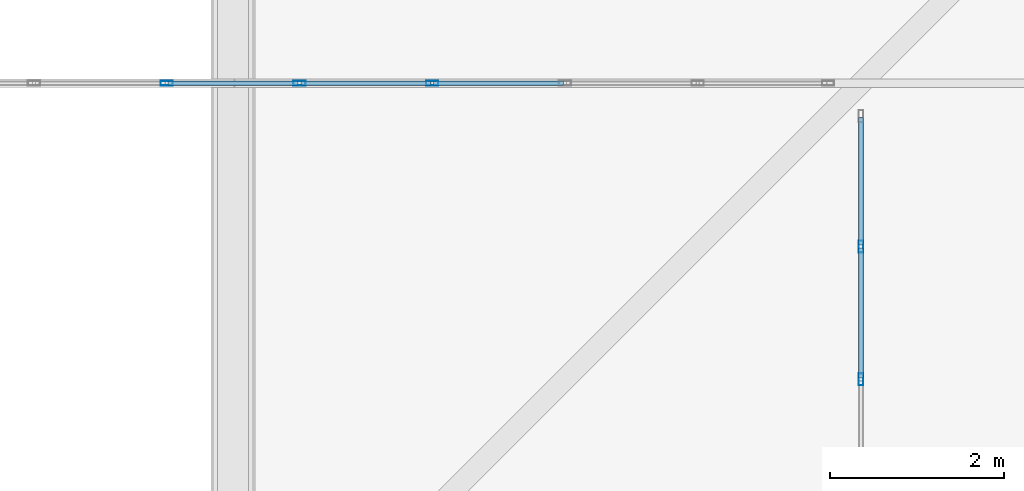
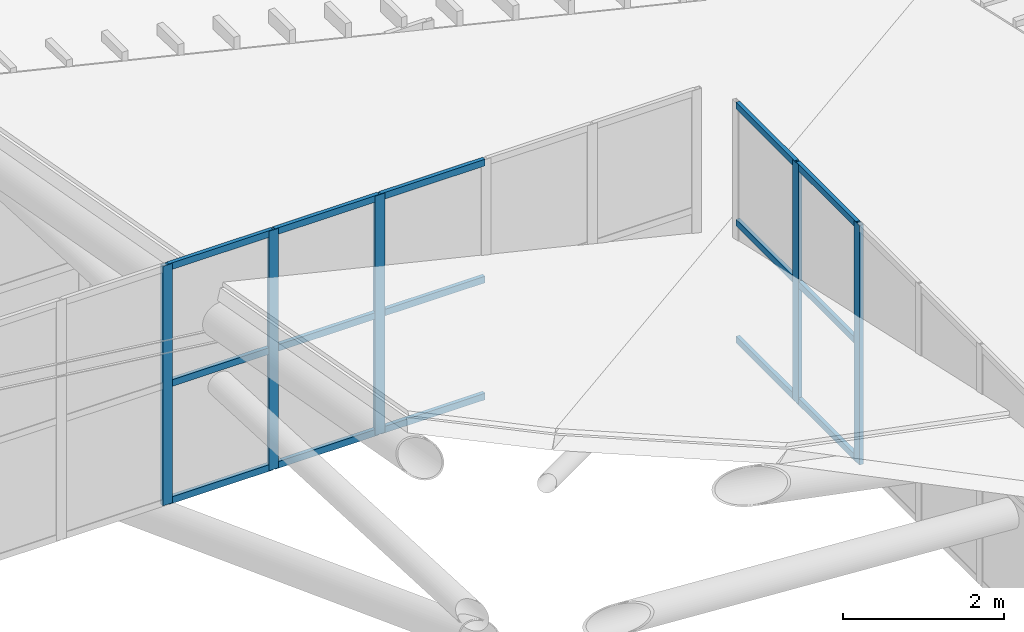
# One storey, part 340 of 397: 20 members, 2 elements without a shape of their own.
"""IFC4 building model written with IfcOpenShell, lengths in metres."""

from ifc_helpers import new_model, si_unit, direction, frame, origin, origin_2d, place, context, subcontext, project, spatial, hollow_rectangle, extrude, material, material_profile, profile_set, type_object, element, aggregate, save


model = new_model("IFC4")

# Units and contexts
model_context = context("Model", 3, precision=1e-05, world=origin(), true_north=direction((0.0, 1.0)))
body_context = subcontext(model_context, "Body", "Model", "MODEL_VIEW")
ifc_project = project(units=[si_unit("LENGTHUNIT", "METRE"), si_unit("AREAUNIT", "SQUARE_METRE"), si_unit("VOLUMEUNIT", "CUBIC_METRE"), si_unit("PLANEANGLEUNIT", "RADIAN"), si_unit("MASSUNIT", "GRAM", prefix="KILO")], contexts=[model_context])

# Site, building, storey
site_placement = place(None, origin())
site = spatial("IfcSite", under=ifc_project, at=site_placement, CompositionType="ELEMENT")
building_placement = place(site_placement, origin())
building = spatial("IfcBuilding", under=site, at=building_placement, Name="Qandorah Velis Arena", CompositionType="ELEMENT")
storey_placement = place(building_placement, frame((0.0, 0.0, 27.5)))
storey = spatial("IfcBuildingStorey", under=building, at=storey_placement, Name="RF", CompositionType="ELEMENT", Elevation=27.5)

# Curtain wall, members
ifc_material_1 = material(Name="Solar-control low-E double glazing", Category="glass")
curtain_wall_type_1 = type_object("IfcCurtainWallType", Name="ARC-CW-SYS18", PredefinedType="USERDEFINED", material=ifc_material_1)
curtain_wall_1_placement = place(storey_placement, origin())
curtain_wall_1 = element("IfcCurtainWall", 1, at=curtain_wall_1_placement, inside=storey, type_object=curtain_wall_type_1, Name="Unitised curtain wall MON-2-6", ObjectType="UNITISED CURTAIN WALL", PredefinedType="USERDEFINED")
ifc_material_2 = material(Name="Champagne-bronze anodized aluminium 6063-T6", Category="aluminium")
ifc_material_profile_1 = material_profile(ifc_material_2, hollow_rectangle(XDim=0.054931640625, YDim=0.139892578125, WallThickness=0.0029296875, at=origin_2d()), Name="ALU MULLION 55x140")
ifc_profile_set_1 = profile_set([ifc_material_profile_1], Name="Champagne-bronze anodized aluminium 6063-T6")
member_type_1 = type_object("IfcMemberType", Name="ARC-CWM-140", PredefinedType="MULLION", material=ifc_profile_set_1)
member_1_placement = place(storey_placement, frame((108.0, 104.60546875, 3.5263671875), z_axis=(0.0, 0.0, 1.0), x_axis=(-1.0, 0.0, 0.0)))
member_1 = element("IfcMember", 2, at=member_1_placement, type_object=member_type_1, Name="CW18 mullion 8", PredefinedType="MULLION", context=body_context, shape_type="SweptSolid", body=[
    extrude(hollow_rectangle(XDim=0.054931640625, YDim=0.139892578125, WallThickness=0.0029296875, at=origin_2d()), origin(), (0.0, 0.0, 1.0), 3.630126953125),
])
member_2_placement = place(storey_placement, frame((108.0, 106.127685546875, 3.5263671875), z_axis=(0.0, 0.0, 1.0), x_axis=(-1.0, 0.0, 0.0)))
member_2 = element("IfcMember", 3, at=member_2_placement, type_object=member_type_1, Name="CW18 mullion 9", PredefinedType="MULLION", context=body_context, shape_type="SweptSolid", body=[
    extrude(hollow_rectangle(XDim=0.054931640625, YDim=0.139892578125, WallThickness=0.0029296875, at=origin_2d()), origin(), (0.0, 0.0, 1.0), 3.630126953125),
])

curtain_wall_type_2 = type_object("IfcCurtainWallType", Name="ARC-CW-SYS06", PredefinedType="USERDEFINED", material=ifc_material_1)
curtain_wall_2_placement = place(storey_placement, origin())
curtain_wall_2 = element("IfcCurtainWall", 4, at=curtain_wall_2_placement, inside=storey, type_object=curtain_wall_type_2, Name="Unitised curtain wall MON-4-6", ObjectType="UNITISED CURTAIN WALL", PredefinedType="USERDEFINED")
member_3_placement = place(storey_placement, frame((100.038818359375, 108.0, 3.625732421875), z_axis=(0.0, 0.0, 1.0), x_axis=(0.0, 1.0, 0.0)))
member_3 = element("IfcMember", 5, at=member_3_placement, type_object=member_type_1, Name="CW06 mullion 5", PredefinedType="MULLION", context=body_context, shape_type="SweptSolid", body=[
    extrude(hollow_rectangle(XDim=0.054931640625, YDim=0.139892578125, WallThickness=0.0029296875, at=origin_2d()), origin(), (0.0, 0.0, 1.0), 3.630126953125),
])
member_4_placement = place(storey_placement, frame((101.56103515625, 108.0, 3.625732421875), z_axis=(0.0, 0.0, 1.0), x_axis=(0.0, 1.0, 0.0)))
member_4 = element("IfcMember", 6, at=member_4_placement, type_object=member_type_1, Name="CW06 mullion 6", PredefinedType="MULLION", context=body_context, shape_type="SweptSolid", body=[
    extrude(hollow_rectangle(XDim=0.054931640625, YDim=0.139892578125, WallThickness=0.0029296875, at=origin_2d()), origin(), (0.0, 0.0, 1.0), 3.630126953125),
])
member_5_placement = place(storey_placement, frame((103.083251953125, 108.0, 3.625732421875), z_axis=(0.0, 0.0, 1.0), x_axis=(0.0, 1.0, 0.0)))
member_5 = element("IfcMember", 7, at=member_5_placement, type_object=member_type_1, Name="CW06 mullion 7", PredefinedType="MULLION", context=body_context, shape_type="SweptSolid", body=[
    extrude(hollow_rectangle(XDim=0.054931640625, YDim=0.139892578125, WallThickness=0.0029296875, at=origin_2d()), origin(), (0.0, 0.0, 1.0), 3.630126953125),
])

# Member
ifc_material_profile_2 = material_profile(ifc_material_2, hollow_rectangle(XDim=0.054931640625, YDim=0.10009765625, WallThickness=0.0029296875, at=origin_2d()), Name="ALU TRANSOM 55x100")
ifc_profile_set_2 = profile_set([ifc_material_profile_2], Name="Champagne-bronze anodized aluminium 6063-T6")
member_type_2 = type_object("IfcMemberType", Name="ARC-CWT-100", PredefinedType="USERDEFINED", material=ifc_profile_set_2)
member_6_placement = place(storey_placement, frame((108.0, 104.62109375, 3.56884765625), z_axis=(0.0, 1.0, 0.0), x_axis=(-1.0, 0.0, 0.0)))
member_6 = element("IfcMember", 8, at=member_6_placement, type_object=member_type_2, Name="CW18 transom 8.1", ObjectType="TRANSOM", PredefinedType="USERDEFINED", context=body_context, shape_type="SweptSolid", body=[
    extrude(hollow_rectangle(XDim=0.054931640625, YDim=0.10009765625, WallThickness=0.0029296875, at=origin_2d()), origin(), (0.0, 0.0, 1.0), 1.4912109375),
])

member_7_placement = place(storey_placement, frame((108.0, 104.62109375, 5.34130859375), z_axis=(0.0, 1.0, 0.0), x_axis=(-1.0, 0.0, 0.0)))
member_7 = element("IfcMember", 9, at=member_7_placement, type_object=member_type_2, Name="CW18 transom 8.2", ObjectType="TRANSOM", PredefinedType="USERDEFINED", context=body_context, shape_type="SweptSolid", body=[
    extrude(hollow_rectangle(XDim=0.054931640625, YDim=0.10009765625, WallThickness=0.0029296875, at=origin_2d()), origin(), (0.0, 0.0, 1.0), 1.4912109375),
])

member_8_placement = place(storey_placement, frame((108.0, 104.62109375, 7.114013671875), z_axis=(0.0, 1.0, 0.0), x_axis=(-1.0, 0.0, 0.0)))
member_8 = element("IfcMember", 10, at=member_8_placement, type_object=member_type_2, Name="CW18 transom 8.3", ObjectType="TRANSOM", PredefinedType="USERDEFINED", context=body_context, shape_type="SweptSolid", body=[
    extrude(hollow_rectangle(XDim=0.054931640625, YDim=0.10009765625, WallThickness=0.0029296875, at=origin_2d()), origin(), (0.0, 0.0, 1.0), 1.4912109375),
])

member_9_placement = place(storey_placement, frame((108.0, 106.143310546875, 3.56884765625), z_axis=(0.0, 1.0, 0.0), x_axis=(-1.0, 0.0, 0.0)))
member_9 = element("IfcMember", 11, at=member_9_placement, type_object=member_type_2, Name="CW18 transom 9.1", ObjectType="TRANSOM", PredefinedType="USERDEFINED", context=body_context, shape_type="SweptSolid", body=[
    extrude(hollow_rectangle(XDim=0.054931640625, YDim=0.10009765625, WallThickness=0.0029296875, at=origin_2d()), origin(), (0.0, 0.0, 1.0), 1.463623046875),
])

member_10_placement = place(storey_placement, frame((108.0, 106.143310546875, 5.34130859375), z_axis=(0.0, 1.0, 0.0), x_axis=(-1.0, 0.0, 0.0)))
member_10 = element("IfcMember", 12, at=member_10_placement, type_object=member_type_2, Name="CW18 transom 9.2", ObjectType="TRANSOM", PredefinedType="USERDEFINED", context=body_context, shape_type="SweptSolid", body=[
    extrude(hollow_rectangle(XDim=0.054931640625, YDim=0.10009765625, WallThickness=0.0029296875, at=origin_2d()), origin(), (0.0, 0.0, 1.0), 1.463623046875),
])

member_11_placement = place(storey_placement, frame((108.0, 106.143310546875, 7.114013671875), z_axis=(0.0, 1.0, 0.0), x_axis=(-1.0, 0.0, 0.0)))
member_11 = element("IfcMember", 13, at=member_11_placement, type_object=member_type_2, Name="CW18 transom 9.3", ObjectType="TRANSOM", PredefinedType="USERDEFINED", context=body_context, shape_type="SweptSolid", body=[
    extrude(hollow_rectangle(XDim=0.054931640625, YDim=0.10009765625, WallThickness=0.0029296875, at=origin_2d()), origin(), (0.0, 0.0, 1.0), 1.463623046875),
])

aggregate(curtain_wall_1, [member_1, member_2, member_6, member_7, member_8, member_9, member_10, member_11])

member_12_placement = place(storey_placement, frame((100.054443359375, 108.0, 3.668212890625), z_axis=(1.0, 0.0, 0.0), x_axis=(0.0, 1.0, 0.0)))
member_12 = element("IfcMember", 14, at=member_12_placement, type_object=member_type_2, Name="CW06 transom 5.1", ObjectType="TRANSOM", PredefinedType="USERDEFINED", context=body_context, shape_type="SweptSolid", body=[
    extrude(hollow_rectangle(XDim=0.054931640625, YDim=0.10009765625, WallThickness=0.0029296875, at=origin_2d()), origin(), (0.0, 0.0, 1.0), 1.4912109375),
])

member_13_placement = place(storey_placement, frame((100.054443359375, 108.0, 5.44091796875), z_axis=(1.0, 0.0, 0.0), x_axis=(0.0, 1.0, 0.0)))
member_13 = element("IfcMember", 15, at=member_13_placement, type_object=member_type_2, Name="CW06 transom 5.2", ObjectType="TRANSOM", PredefinedType="USERDEFINED", context=body_context, shape_type="SweptSolid", body=[
    extrude(hollow_rectangle(XDim=0.054931640625, YDim=0.10009765625, WallThickness=0.0029296875, at=origin_2d()), origin(), (0.0, 0.0, 1.0), 1.4912109375),
])

member_14_placement = place(storey_placement, frame((100.054443359375, 108.0, 7.21337890625), z_axis=(1.0, 0.0, 0.0), x_axis=(0.0, 1.0, 0.0)))
member_14 = element("IfcMember", 16, at=member_14_placement, type_object=member_type_2, Name="CW06 transom 5.3", ObjectType="TRANSOM", PredefinedType="USERDEFINED", context=body_context, shape_type="SweptSolid", body=[
    extrude(hollow_rectangle(XDim=0.054931640625, YDim=0.10009765625, WallThickness=0.0029296875, at=origin_2d()), origin(), (0.0, 0.0, 1.0), 1.4912109375),
])

member_15_placement = place(storey_placement, frame((101.57666015625, 108.0, 3.668212890625), z_axis=(1.0, 0.0, 0.0), x_axis=(0.0, 1.0, 0.0)))
member_15 = element("IfcMember", 17, at=member_15_placement, type_object=member_type_2, Name="CW06 transom 6.1", ObjectType="TRANSOM", PredefinedType="USERDEFINED", context=body_context, shape_type="SweptSolid", body=[
    extrude(hollow_rectangle(XDim=0.054931640625, YDim=0.10009765625, WallThickness=0.0029296875, at=origin_2d()), origin(), (0.0, 0.0, 1.0), 1.4912109375),
])

member_16_placement = place(storey_placement, frame((101.57666015625, 108.0, 5.44091796875), z_axis=(1.0, 0.0, 0.0), x_axis=(0.0, 1.0, 0.0)))
member_16 = element("IfcMember", 18, at=member_16_placement, type_object=member_type_2, Name="CW06 transom 6.2", ObjectType="TRANSOM", PredefinedType="USERDEFINED", context=body_context, shape_type="SweptSolid", body=[
    extrude(hollow_rectangle(XDim=0.054931640625, YDim=0.10009765625, WallThickness=0.0029296875, at=origin_2d()), origin(), (0.0, 0.0, 1.0), 1.4912109375),
])

member_17_placement = place(storey_placement, frame((101.57666015625, 108.0, 7.21337890625), z_axis=(1.0, 0.0, 0.0), x_axis=(0.0, 1.0, 0.0)))
member_17 = element("IfcMember", 19, at=member_17_placement, type_object=member_type_2, Name="CW06 transom 6.3", ObjectType="TRANSOM", PredefinedType="USERDEFINED", context=body_context, shape_type="SweptSolid", body=[
    extrude(hollow_rectangle(XDim=0.054931640625, YDim=0.10009765625, WallThickness=0.0029296875, at=origin_2d()), origin(), (0.0, 0.0, 1.0), 1.4912109375),
])

member_18_placement = place(storey_placement, frame((103.098876953125, 108.0, 3.668212890625), z_axis=(1.0, 0.0, 0.0), x_axis=(0.0, 1.0, 0.0)))
member_18 = element("IfcMember", 20, at=member_18_placement, type_object=member_type_2, Name="CW06 transom 7.1", ObjectType="TRANSOM", PredefinedType="USERDEFINED", context=body_context, shape_type="SweptSolid", body=[
    extrude(hollow_rectangle(XDim=0.054931640625, YDim=0.10009765625, WallThickness=0.0029296875, at=origin_2d()), origin(), (0.0, 0.0, 1.0), 1.4912109375),
])

member_19_placement = place(storey_placement, frame((103.098876953125, 108.0, 5.44091796875), z_axis=(1.0, 0.0, 0.0), x_axis=(0.0, 1.0, 0.0)))
member_19 = element("IfcMember", 21, at=member_19_placement, type_object=member_type_2, Name="CW06 transom 7.2", ObjectType="TRANSOM", PredefinedType="USERDEFINED", context=body_context, shape_type="SweptSolid", body=[
    extrude(hollow_rectangle(XDim=0.054931640625, YDim=0.10009765625, WallThickness=0.0029296875, at=origin_2d()), origin(), (0.0, 0.0, 1.0), 1.4912109375),
])

member_20_placement = place(storey_placement, frame((103.098876953125, 108.0, 7.21337890625), z_axis=(1.0, 0.0, 0.0), x_axis=(0.0, 1.0, 0.0)))
member_20 = element("IfcMember", 22, at=member_20_placement, type_object=member_type_2, Name="CW06 transom 7.3", ObjectType="TRANSOM", PredefinedType="USERDEFINED", context=body_context, shape_type="SweptSolid", body=[
    extrude(hollow_rectangle(XDim=0.054931640625, YDim=0.10009765625, WallThickness=0.0029296875, at=origin_2d()), origin(), (0.0, 0.0, 1.0), 1.4912109375),
])

aggregate(curtain_wall_2, [member_3, member_4, member_5, member_12, member_13, member_14, member_15, member_16, member_17, member_18, member_19, member_20])

save(model, "model.ifc")
